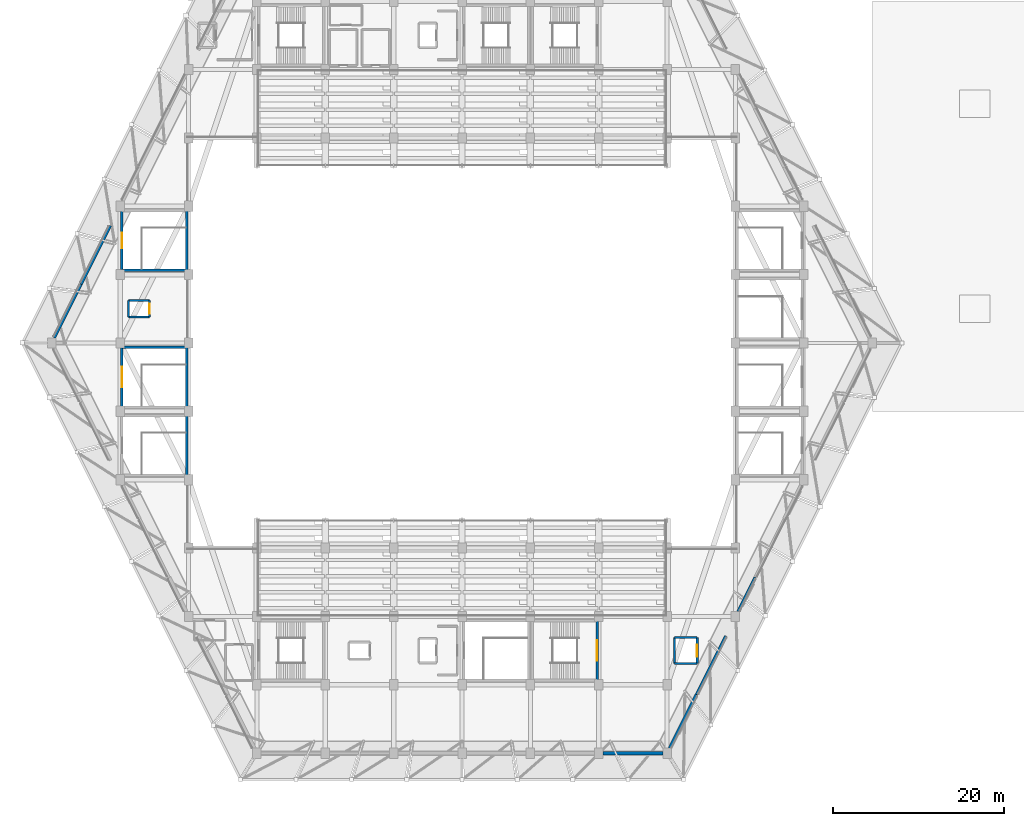
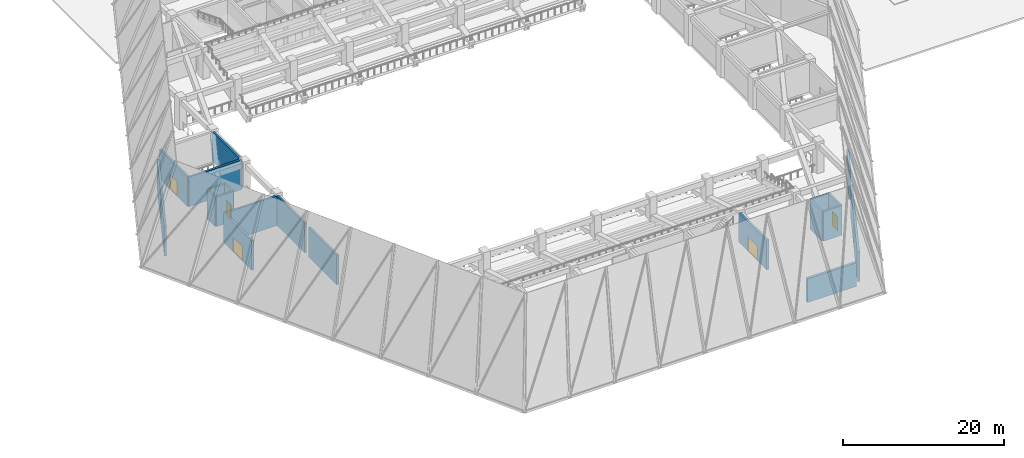
# One storey, part 16 of 24: 22 walls, 5 doors, 5 openings.
"""IFC4 building model written with IfcOpenShell, lengths in metres."""

from ifc_helpers import new_model, si_unit, direction, frame, frame_2d, origin, place, context, subcontext, project, spatial, rectangle, extrude, material, layer, layer_set, type_object, element, fill, save


model = new_model("IFC4")

# Units and contexts
model_context = context("Model", 3, precision=1e-05, world=origin(), true_north=direction((0.0, 1.0)))
body_context = subcontext(model_context, "Body", "Model", "MODEL_VIEW")
ifc_project = project(units=[si_unit("LENGTHUNIT", "METRE"), si_unit("AREAUNIT", "SQUARE_METRE"), si_unit("VOLUMEUNIT", "CUBIC_METRE"), si_unit("PLANEANGLEUNIT", "RADIAN"), si_unit("MASSUNIT", "GRAM", prefix="KILO")], contexts=[model_context])

# Site, building, storey
site_placement = place(None, origin())
site = spatial("IfcSite", under=ifc_project, at=site_placement, CompositionType="ELEMENT")
building_placement = place(site_placement, origin())
building = spatial("IfcBuilding", under=site, at=building_placement, Name="Tazarka Park Arena", CompositionType="ELEMENT")
storey_placement = place(building_placement, frame((0.0, 0.0, 15.0)))
storey = spatial("IfcBuildingStorey", under=building, at=storey_placement, Name="L03", CompositionType="ELEMENT", Elevation=15.0)

# Wall, opening, door
ifc_material_1 = material(Name="Concrete C40/50", Category="concrete")
ifc_layer_1 = layer(ifc_material_1, 0.300048828125, Name="Concrete C40/50")
ifc_layer_set_1 = layer_set([ifc_layer_1], Name="Concrete C40/50")
wall_type_1 = type_object("IfcWallType", Name="IWAL-CW-S1", PredefinedType="SHEAR", material=ifc_layer_set_1)
wall_1_placement = place(storey_placement, frame((103.800048828125, 31.5, 0.0), z_axis=(0.0, 0.0, 1.0), x_axis=(0.0, -1.0, 0.0)))
wall_1 = element("IfcWall", 1, at=wall_1_placement, inside=storey, type_object=wall_type_1, Name="SCW-L03-ST11-E", PredefinedType="SHEAR", context=body_context, shape_type="SweptSolid", body=[
    extrude(rectangle(XDim=7.0, YDim=0.300048828125, at=frame_2d((3.5, 0.0))), origin(), (0.0, 0.0, 1.0), 4.5),
])
opening_1_placement = place(wall_1_placement, frame((2.300048828125, 0.0, 0.0)))
opening_1 = element("IfcOpeningElement", 2, at=opening_1_placement, cuts=wall_1, Name="Opening ID-05", PredefinedType="OPENING", context=body_context, shape_type="SweptSolid", body=[
    extrude(rectangle(XDim=2.39990234375, YDim=2.199951171875, at=frame_2d((1.199951171875, 1.10009765625))), frame((0.0, 0.16015625, 0.0), z_axis=(0.0, -1.0, 0.0), x_axis=(1.0, 0.0, 0.0)), (0.0, 0.0, 1.0), 0.320068359375),
])
ifc_material_2 = material(Name="Fire-rated powder-coated steel and acoustic timber", Category="steel")
door_type_1 = type_object("IfcDoorType", Name="IDR-ID-05", OperationType="NOTDEFINED", PredefinedType="DOOR", material=ifc_material_2)
door_1_placement = place(opening_1_placement, frame((2.39990234375, 0.0, 0.0), z_axis=(0.0, 0.0, 1.0), x_axis=(-1.0, 0.0, 0.0)))
door_1 = element("IfcDoor", 3, at=door_1_placement, inside=storey, type_object=door_type_1, Name="Exit Stair Door ST11-L03", OperationType="DOUBLE_DOOR_SINGLE_SWING", OverallHeight=2.199951171875, OverallWidth=2.39990234375, PredefinedType="DOOR", context=body_context, shape_type="SweptSolid", body=[
    extrude(rectangle(XDim=2.39990234375, YDim=2.199951171875, at=frame_2d((1.199951171875, 1.10009765625))), frame((0.0, 0.02490234375, 0.0), z_axis=(0.0, -1.0, 0.0), x_axis=(1.0, 0.0, 0.0)), (0.0, 0.0, 1.0), 0.050048828125),
])
fill(opening_1, door_1)

wall_2_placement = place(storey_placement, frame((48.199951171875, 56.5, 0.0), z_axis=(0.0, 0.0, 1.0), x_axis=(0.0, 1.0, 0.0)))
wall_2 = element("IfcWall", 4, at=wall_2_placement, inside=storey, type_object=wall_type_1, Name="SCW-L03-ST13-W", PredefinedType="SHEAR", context=body_context, shape_type="SweptSolid", body=[
    extrude(rectangle(XDim=7.0, YDim=0.300048828125, at=frame_2d((3.5, 0.0))), origin(), (0.0, 0.0, 1.0), 4.5),
])
opening_2_placement = place(wall_2_placement, frame((2.300048828125, 0.0, 0.0)))
opening_2 = element("IfcOpeningElement", 5, at=opening_2_placement, cuts=wall_2, Name="Opening ID-05", PredefinedType="OPENING", context=body_context, shape_type="SweptSolid", body=[
    extrude(rectangle(XDim=2.39990234375, YDim=2.199951171875, at=frame_2d((1.199951171875, 1.10009765625))), frame((0.0, 0.16015625, 0.0), z_axis=(0.0, -1.0, 0.0), x_axis=(1.0, 0.0, 0.0)), (0.0, 0.0, 1.0), 0.320068359375),
])
door_2_placement = place(opening_2_placement, frame((2.39990234375, 0.0, 0.0), z_axis=(0.0, 0.0, 1.0), x_axis=(-1.0, 0.0, 0.0)))
door_2 = element("IfcDoor", 6, at=door_2_placement, inside=storey, type_object=door_type_1, Name="Exit Stair Door ST13-L03", OperationType="DOUBLE_DOOR_SINGLE_SWING", OverallHeight=2.199951171875, OverallWidth=2.39990234375, PredefinedType="DOOR", context=body_context, shape_type="SweptSolid", body=[
    extrude(rectangle(XDim=2.39990234375, YDim=2.199951171875, at=frame_2d((1.199951171875, 1.10009765625))), frame((0.0, 0.02490234375, 0.0), z_axis=(0.0, -1.0, 0.0), x_axis=(1.0, 0.0, 0.0)), (0.0, 0.0, 1.0), 0.050048828125),
])
fill(opening_2, door_2)

# Walls
wall_3_placement = place(storey_placement, frame((48.199951171875, 63.5, 0.0), z_axis=(0.0, 0.0, 1.0), x_axis=(1.0, 0.0, 0.0)))
element("IfcWall", 7, at=wall_3_placement, inside=storey, type_object=wall_type_1, Name="SCW-L03-ST13-N", PredefinedType="SHEAR", context=body_context, shape_type="SweptSolid", body=[
    extrude(rectangle(XDim=7.60009765625, YDim=0.300048828125, at=frame_2d((3.800048828125, 0.0))), origin(), (0.0, 0.0, 1.0), 4.5),
])
for number, where, z_axis, x_axis, name in (
    (8, (55.800048828125, 63.5, 0.0), (0.0, 0.0, 1.0), (0.0, -1.0, 0.0), "SCW-L03-ST13-E"),
    (9, (55.800048828125, 55.5, 0.0), (0.0, 0.0, 1.0), (0.0, -1.0, 0.0), "SCW-L03-ST19-E"),
):
    element("IfcWall", number, at=place(storey_placement, frame(where, z_axis=z_axis, x_axis=x_axis)), inside=storey, type_object=wall_type_1, Name=name, PredefinedType="SHEAR", context=body_context, shape_type="SweptSolid", body=[
        extrude(rectangle(XDim=7.0, YDim=0.300048828125, at=frame_2d((3.5, 0.0))), origin(), (0.0, 0.0, 1.0), 4.5),
    ])
wall_4_placement = place(storey_placement, frame((55.800048828125, 72.5, 0.0), z_axis=(0.0, 0.0, 1.0), x_axis=(-1.0, 0.0, 0.0)))
element("IfcWall", 10, at=wall_4_placement, inside=storey, type_object=wall_type_1, Name="SCW-L03-ST20-S", PredefinedType="SHEAR", context=body_context, shape_type="SweptSolid", body=[
    extrude(rectangle(XDim=7.60009765625, YDim=0.300048828125, at=frame_2d((3.800048828125, 0.0))), origin(), (0.0, 0.0, 1.0), 4.5),
])

# Wall, opening, door
wall_5_placement = place(storey_placement, frame((48.199951171875, 72.5, 0.0), z_axis=(0.0, 0.0, 1.0), x_axis=(0.0, 1.0, 0.0)))
wall_5 = element("IfcWall", 11, at=wall_5_placement, inside=storey, type_object=wall_type_1, Name="SCW-L03-ST20-W", PredefinedType="SHEAR", context=body_context, shape_type="SweptSolid", body=[
    extrude(rectangle(XDim=7.0, YDim=0.300048828125, at=frame_2d((3.5, 0.0))), origin(), (0.0, 0.0, 1.0), 4.5),
])
opening_3_placement = place(wall_5_placement, frame((2.60009765625, 0.0, 0.0)))
opening_3 = element("IfcOpeningElement", 12, at=opening_3_placement, cuts=wall_5, Name="Opening ID-04", PredefinedType="OPENING", context=body_context, shape_type="SweptSolid", body=[
    extrude(rectangle(XDim=1.800048828125, YDim=2.199951171875, at=frame_2d((0.89990234375, 1.10009765625))), frame((0.0, 0.16015625, 0.0), z_axis=(0.0, -1.0, 0.0), x_axis=(1.0, 0.0, 0.0)), (0.0, 0.0, 1.0), 0.320068359375),
])
ifc_material_3 = material(Name="Fire-rated powder-coated steel and acoustic timber", Category="steel")
door_type_2 = type_object("IfcDoorType", Name="IDR-ID-04", OperationType="NOTDEFINED", PredefinedType="DOOR", material=ifc_material_3)
door_3_placement = place(opening_3_placement, frame((1.800048828125, 0.0, 0.0), z_axis=(0.0, 0.0, 1.0), x_axis=(-1.0, 0.0, 0.0)))
door_3 = element("IfcDoor", 13, at=door_3_placement, inside=storey, type_object=door_type_2, Name="Vomitory Stair Door ST20-L03", OperationType="DOUBLE_DOOR_SINGLE_SWING", OverallHeight=2.199951171875, OverallWidth=1.800048828125, PredefinedType="DOOR", context=body_context, shape_type="SweptSolid", body=[
    extrude(rectangle(XDim=1.800048828125, YDim=2.199951171875, at=frame_2d((0.89990234375, 1.10009765625))), frame((0.0, 0.02490234375, 0.0), z_axis=(0.0, -1.0, 0.0), x_axis=(1.0, 0.0, 0.0)), (0.0, 0.0, 1.0), 0.050048828125),
])
fill(opening_3, door_3)

# Walls
wall_6_placement = place(storey_placement, frame((55.800048828125, 79.5, 0.0), z_axis=(0.0, 0.0, 1.0), x_axis=(0.0, -1.0, 0.0)))
element("IfcWall", 14, at=wall_6_placement, inside=storey, type_object=wall_type_1, Name="SCW-L03-ST20-E", PredefinedType="SHEAR", context=body_context, shape_type="SweptSolid", body=[
    extrude(rectangle(XDim=7.0, YDim=0.300048828125, at=frame_2d((3.5, 0.0))), origin(), (0.0, 0.0, 1.0), 4.5),
])
ifc_material_4 = material(Name="Concrete C40/50", Category="concrete")
ifc_layer_2 = layer(ifc_material_4, 0.260009765625, Name="Concrete C40/50")
ifc_layer_set_2 = layer_set([ifc_layer_2], Name="Concrete C40/50")
wall_type_2 = type_object("IfcWallType", Name="IWAL-CW-S3", PredefinedType="SHEAR", material=ifc_layer_set_2)
wall_7_placement = place(storey_placement, frame((48.97998046875, 67.030029296875, 0.0), z_axis=(0.0, 0.0, 1.0), x_axis=(0.0, 1.0, 0.0)))
element("IfcWall", 15, at=wall_7_placement, inside=storey, type_object=wall_type_2, Name="LSW-L03-LF-09-W", PredefinedType="SHEAR", context=body_context, shape_type="SweptSolid", body=[
    extrude(rectangle(XDim=1.93994140625, YDim=0.260009765625, at=frame_2d((0.969970703125, 0.0))), origin(), (0.0, 0.0, 1.0), 4.5),
])
for number, where, z_axis, x_axis, name in (
    (16, (48.97998046875, 68.969970703125, 0.0), (0.0, 0.0, 1.0), (1.0, 0.0, 0.0), "LSW-L03-LF-09-N"),
    (17, (51.419921875, 67.030029296875, 0.0), (0.0, 0.0, 1.0), (-1.0, 0.0, 0.0), "LSW-L03-LF-09-S"),
):
    element("IfcWall", number, at=place(storey_placement, frame(where, z_axis=z_axis, x_axis=x_axis)), inside=storey, type_object=wall_type_2, Name=name, PredefinedType="SHEAR", context=body_context, shape_type="SweptSolid", body=[
        extrude(rectangle(XDim=2.43994140625, YDim=0.260009765625, at=frame_2d((1.219970703125, 0.0))), origin(), (0.0, 0.0, 1.0), 4.5),
    ])

# Wall, opening, door
wall_8_placement = place(storey_placement, frame((51.419921875, 68.969970703125, 0.0), z_axis=(0.0, 0.0, 1.0), x_axis=(0.0, -1.0, 0.0)))
wall_8 = element("IfcWall", 18, at=wall_8_placement, inside=storey, type_object=wall_type_2, Name="LSW-L03-LF-09-E", PredefinedType="SHEAR", context=body_context, shape_type="SweptSolid", body=[
    extrude(rectangle(XDim=1.93994140625, YDim=0.260009765625, at=frame_2d((0.969970703125, 0.0))), origin(), (0.0, 0.0, 1.0), 4.5),
])
opening_4_placement = place(wall_8_placement, frame((0.3701171875, 0.0, 0.0)))
opening_4 = element("IfcOpeningElement", 19, at=opening_4_placement, cuts=wall_8, Name="Opening LD-02", PredefinedType="OPENING", context=body_context, shape_type="SweptSolid", body=[
    extrude(rectangle(XDim=1.199951171875, YDim=2.14990234375, at=frame_2d((0.60009765625, 1.074951171875))), frame((0.0, 0.14013671875, 0.0), z_axis=(0.0, -1.0, 0.0), x_axis=(1.0, 0.0, 0.0)), (0.0, 0.0, 1.0), 0.280029296875),
])
ifc_material_5 = material(Name="Fire-rated powder-coated steel and acoustic timber", Category="steel")
door_type_3 = type_object("IfcDoorType", Name="IDR-LD-02", OperationType="NOTDEFINED", PredefinedType="DOOR", material=ifc_material_5)
door_4_placement = place(opening_4_placement, origin())
door_4 = element("IfcDoor", 20, at=door_4_placement, inside=storey, type_object=door_type_3, Name="Lift Landing Door LF-09-L03", OperationType="SLIDING_TO_LEFT", OverallHeight=2.14990234375, OverallWidth=1.199951171875, PredefinedType="DOOR", context=body_context, shape_type="SweptSolid", body=[
    extrude(rectangle(XDim=1.199951171875, YDim=2.14990234375, at=frame_2d((0.60009765625, 1.074951171875))), frame((0.0, 0.02490234375, 0.0), z_axis=(0.0, -1.0, 0.0), x_axis=(1.0, 0.0, 0.0)), (0.0, 0.0, 1.0), 0.050048828125),
])
fill(opening_4, door_4)

# Walls
wall_9_placement = place(storey_placement, frame((112.8798828125, 26.47998046875, 0.0), z_axis=(0.0, 0.0, 1.0), x_axis=(0.0, 1.0, 0.0)))
element("IfcWall", 21, at=wall_9_placement, inside=storey, type_object=wall_type_2, Name="LSW-L03-LF-11-W", PredefinedType="SHEAR", context=body_context, shape_type="SweptSolid", body=[
    extrude(rectangle(XDim=3.0400390625, YDim=0.260009765625, at=frame_2d((1.52001953125, 0.0))), origin(), (0.0, 0.0, 1.0), 4.5),
])
for number, where, z_axis, x_axis, name in (
    (22, (112.8798828125, 29.52001953125, 0.0), (0.0, 0.0, 1.0), (1.0, 0.0, 0.0), "LSW-L03-LF-11-N"),
    (23, (115.52001953125, 26.47998046875, 0.0), (0.0, 0.0, 1.0), (-1.0, 0.0, 0.0), "LSW-L03-LF-11-S"),
):
    element("IfcWall", number, at=place(storey_placement, frame(where, z_axis=z_axis, x_axis=x_axis)), inside=storey, type_object=wall_type_2, Name=name, PredefinedType="SHEAR", context=body_context, shape_type="SweptSolid", body=[
        extrude(rectangle(XDim=2.64013671875, YDim=0.260009765625, at=frame_2d((1.320068359375, 0.0))), origin(), (0.0, 0.0, 1.0), 4.5),
    ])

# Wall, opening, door
wall_10_placement = place(storey_placement, frame((115.52001953125, 29.52001953125, 0.0), z_axis=(0.0, 0.0, 1.0), x_axis=(0.0, -1.0, 0.0)))
wall_10 = element("IfcWall", 24, at=wall_10_placement, inside=storey, type_object=wall_type_2, Name="LSW-L03-LF-11-E", PredefinedType="SHEAR", context=body_context, shape_type="SweptSolid", body=[
    extrude(rectangle(XDim=3.0400390625, YDim=0.260009765625, at=frame_2d((1.52001953125, 0.0))), origin(), (0.0, 0.0, 1.0), 4.5),
])
opening_5_placement = place(wall_10_placement, frame((0.820068359375, 0.0, 0.0)))
opening_5 = element("IfcOpeningElement", 25, at=opening_5_placement, cuts=wall_10, Name="Opening LD-03", PredefinedType="OPENING", context=body_context, shape_type="SweptSolid", body=[
    extrude(rectangle(XDim=1.39990234375, YDim=2.199951171875, at=frame_2d((0.699951171875, 1.10009765625))), frame((0.0, 0.14013671875, 0.0), z_axis=(0.0, -1.0, 0.0), x_axis=(1.0, 0.0, 0.0)), (0.0, 0.0, 1.0), 0.280029296875),
])
ifc_material_6 = material(Name="Fire-rated powder-coated steel and acoustic timber", Category="steel")
door_type_4 = type_object("IfcDoorType", Name="IDR-LD-03", OperationType="NOTDEFINED", PredefinedType="DOOR", material=ifc_material_6)
door_5_placement = place(opening_5_placement, origin())
door_5 = element("IfcDoor", 26, at=door_5_placement, inside=storey, type_object=door_type_4, Name="Lift Landing Door LF-11-L03", OperationType="SLIDING_TO_LEFT", OverallHeight=2.199951171875, OverallWidth=1.39990234375, PredefinedType="DOOR", context=body_context, shape_type="SweptSolid", body=[
    extrude(rectangle(XDim=1.39990234375, YDim=2.199951171875, at=frame_2d((0.699951171875, 1.10009765625))), frame((0.0, 0.02490234375, 0.0), z_axis=(0.0, -1.0, 0.0), x_axis=(1.0, 0.0, 0.0)), (0.0, 0.0, 1.0), 0.050048828125),
])
fill(opening_5, door_5)

# Walls
ifc_material_7 = material(Name="Precast concrete C40/50", Category="concrete")
ifc_layer_3 = layer(ifc_material_7, 0.2900390625, Name="Precast concrete C40/50")
ifc_layer_set_3 = layer_set([ifc_layer_3], Name="Precast concrete C40/50")
wall_type_3 = type_object("IfcWallType", Name="WAL-EW-07", PredefinedType="SOLIDWALL", material=ifc_layer_set_3)
wall_11_placement = place(storey_placement, frame((122.28564453125, 36.5712890625, 0.0), z_axis=(0.0, 0.0, 1.0), x_axis=(-0.4472135955, -0.894427191, 0.0)))
element("IfcWall", 27, at=wall_11_placement, inside=storey, type_object=wall_type_3, Name="EW-L03-0294", PredefinedType="SOLIDWALL", context=body_context, shape_type="SweptSolid", body=[
    extrude(rectangle(XDim=4.46240234375, YDim=0.2900390625, at=frame_2d((2.231201171875, 0.0))), origin(), (0.0, 0.0, 1.0), 4.5),
])
wall_12_placement = place(storey_placement, frame((40.2900390625, 64.580078125, 0.0), z_axis=(0.0, 0.0, 1.0), x_axis=(0.447227510427, 0.894420233401, 0.0)))
element("IfcWall", 28, at=wall_12_placement, inside=storey, type_object=wall_type_3, Name="EW-L03-0310", PredefinedType="SOLIDWALL", context=body_context, shape_type="SweptSolid", body=[
    extrude(rectangle(XDim=7.01806640625, YDim=0.2900390625, at=frame_2d((3.509033203125, 0.0))), origin(), (0.0, 0.0, 1.0), 4.5),
])
ifc_material_8 = material(Name="Precast concrete C40/50", Category="concrete")
ifc_layer_4 = layer(ifc_material_8, 0.31005859375, Name="Precast concrete C40/50")
ifc_layer_set_4 = layer_set([ifc_layer_4], Name="Precast concrete C40/50")
wall_type_4 = type_object("IfcWallType", Name="WAL-EW-08", PredefinedType="SOLIDWALL", material=ifc_layer_set_4)
for number, where, z_axis, x_axis, name in (
    (29, (118.857177734375, 29.71435546875, 0.0), (0.0, 0.0, 1.0), (-0.447200857411, -0.894433559931, 0.0), "EW-L03-0295"),
    (30, (43.4287109375, 70.857177734375, 0.0), (0.0, 0.0, 1.0), (0.447200857411, 0.894433559931, 0.0), "EW-L03-0311"),
):
    element("IfcWall", number, at=place(storey_placement, frame(where, z_axis=z_axis, x_axis=x_axis)), inside=storey, type_object=wall_type_4, Name=name, PredefinedType="SOLIDWALL", context=body_context, shape_type="SweptSolid", body=[
        extrude(rectangle(XDim=7.66650390625, YDim=0.31005859375, at=frame_2d((3.833251953125, 0.0))), origin(), (0.0, 0.0, 1.0), 4.5),
    ])
ifc_material_9 = material(Name="Concrete C40/50", Category="concrete")
ifc_layer_5 = layer(ifc_material_9, 0.330078125, Name="Concrete C40/50")
ifc_layer_set_5 = layer_set([ifc_layer_5], Name="Concrete C40/50")
wall_type_5 = type_object("IfcWallType", Name="WAL-EW-09", PredefinedType="SOLIDWALL", material=ifc_layer_set_5)
wall_13_placement = place(storey_placement, frame((115.4287109375, 22.857177734375, 0.0), z_axis=(0.0, 0.0, 1.0), x_axis=(-0.447227510427, -0.894420233401, 0.0)))
element("IfcWall", 31, at=wall_13_placement, inside=storey, type_object=wall_type_5, Name="EW-L03-0296", PredefinedType="SOLIDWALL", context=body_context, shape_type="SweptSolid", body=[
    extrude(rectangle(XDim=7.01806640625, YDim=0.330078125, at=frame_2d((3.509033203125, 0.0))), origin(), (0.0, 0.0, 1.0), 4.5),
])
ifc_material_10 = material(Name="Concrete C50/60", Category="concrete")
ifc_layer_6 = layer(ifc_material_10, 0.389892578125, Name="Concrete C50/60")
ifc_layer_set_6 = layer_set([ifc_layer_6], Name="Concrete C50/60")
wall_type_6 = type_object("IfcWallType", Name="WAL-EW-13", PredefinedType="SOLIDWALL", material=ifc_layer_set_6)
wall_14_placement = place(storey_placement, frame((111.52001953125, 16.0, 0.0), z_axis=(0.0, 0.0, 1.0), x_axis=(-1.0, 0.0, 0.0)))
element("IfcWall", 32, at=wall_14_placement, inside=storey, type_object=wall_type_6, Name="EW-L03-0284", PredefinedType="SOLIDWALL", context=body_context, shape_type="SweptSolid", body=[
    extrude(rectangle(XDim=7.0400390625, YDim=0.389892578125, at=frame_2d((3.52001953125, 0.0))), origin(), (0.0, 0.0, 1.0), 3.60009765625),
])

save(model, "model.ifc")
